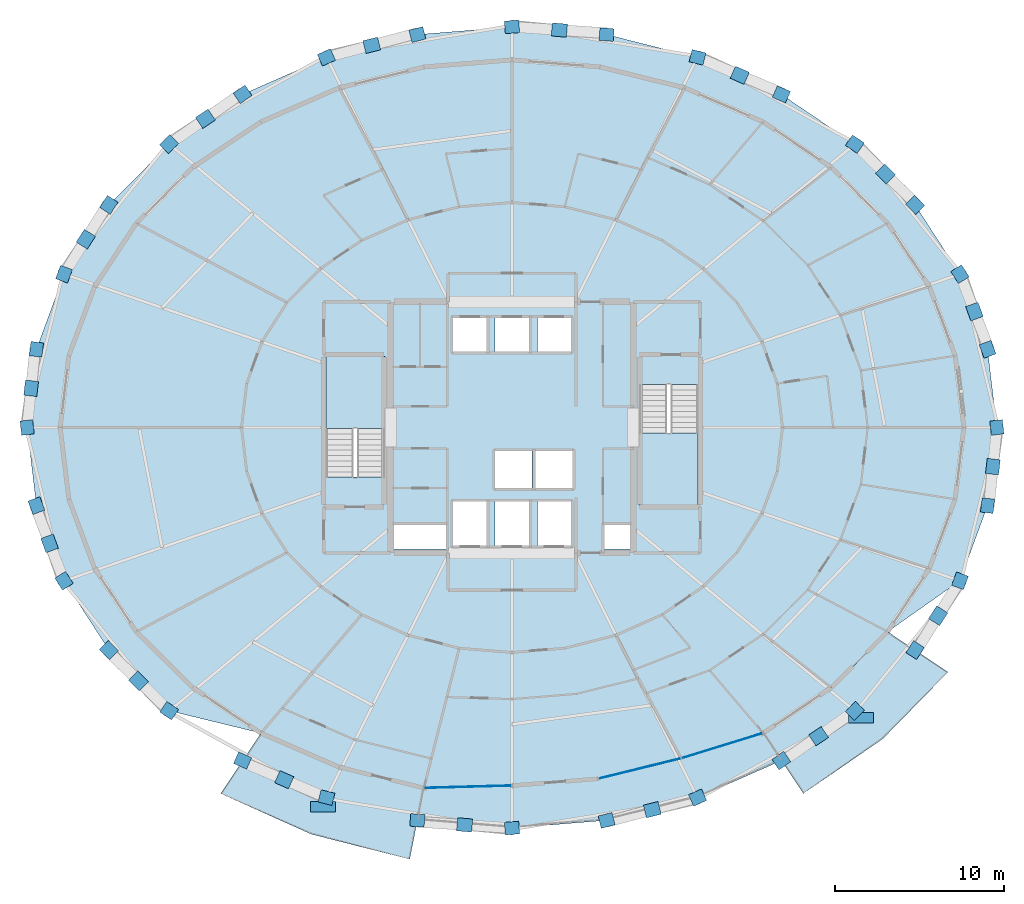
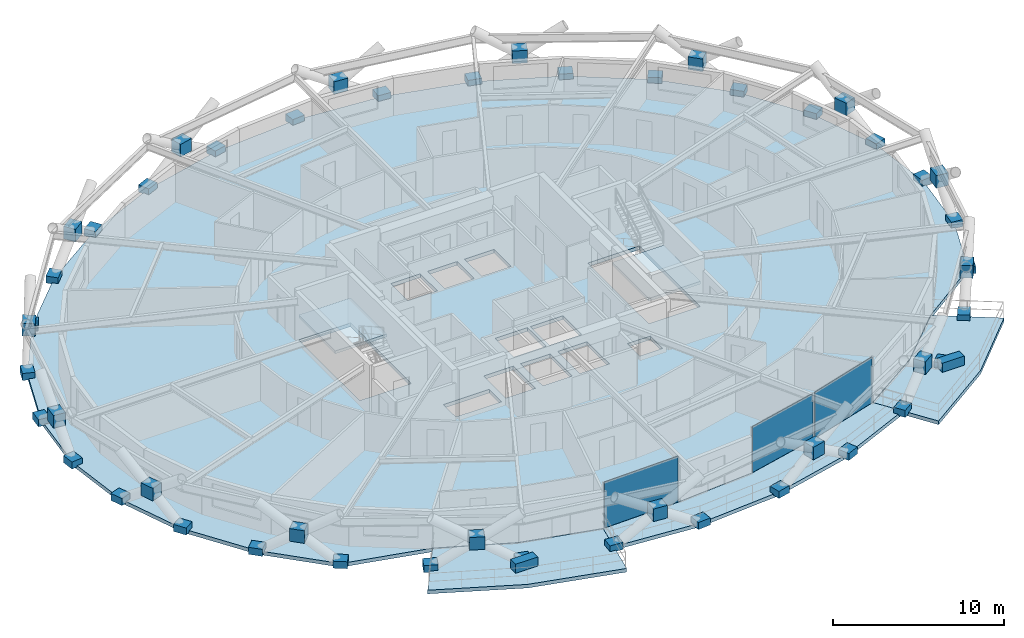
# One storey, part 6 of 14: 53 plates, 6 slabs, 4 elements without a shape of their own.
"""IFC4 building model written with IfcOpenShell, lengths in metres."""

from ifc_helpers import new_model, si_unit, direction, frame, origin, origin_2d, place, context, subcontext, project, spatial, polyline, rectangle, outline, extrude, material, layer, layer_set, type_object, element, aggregate, save


model = new_model("IFC4")

# Units and contexts
model_context = context("Model", 3, precision=1e-05, world=origin(), true_north=direction((0.0, 1.0)))
body_context = subcontext(model_context, "Body", "Model", "MODEL_VIEW")
ifc_project = project(units=[si_unit("LENGTHUNIT", "METRE"), si_unit("AREAUNIT", "SQUARE_METRE"), si_unit("VOLUMEUNIT", "CUBIC_METRE"), si_unit("PLANEANGLEUNIT", "RADIAN"), si_unit("MASSUNIT", "GRAM", prefix="KILO")], contexts=[model_context])

# Site, building, storey
site_placement = place(None, origin())
site = spatial("IfcSite", under=ifc_project, at=site_placement, CompositionType="ELEMENT")
building_placement = place(site_placement, origin())
building = spatial("IfcBuilding", under=site, at=building_placement, Name="Veldorina Hangang Commons", CompositionType="ELEMENT")
storey_placement = place(building_placement, frame((0.0, 0.0, 62.800048828125)))
storey = spatial("IfcBuildingStorey", under=building, at=storey_placement, Name="L15", CompositionType="ELEMENT", Elevation=62.800048828125)

# Curtain wall, plate
ifc_material_1 = material(Name="Glass Low-E Triple IGU", Category="glass")
ifc_layer_1 = layer(ifc_material_1, 0.179931640625)
ifc_layer_set_1 = layer_set([ifc_layer_1], Name="Glass Low-E Triple IGU")
curtain_wall_type = type_object("IfcCurtainWallType", Name="CW-SYS-Z1", PredefinedType="NOTDEFINED", material=ifc_layer_set_1)
curtain_wall_1_placement = place(storey_placement, origin())
curtain_wall_1 = element("IfcCurtainWall", 1, at=curtain_wall_1_placement, inside=storey, type_object=curtain_wall_type, Name="L15 unitised curtain wall CW-L15-R1", PredefinedType="NOTDEFINED")
ifc_layer_2 = layer(ifc_material_1, 0.0400390625)
ifc_layer_set_2 = layer_set([ifc_layer_2], Name="Glass Low-E Triple IGU")
plate_type_1 = type_object("IfcPlateType", Name="CW-PNL-VIS", PredefinedType="CURTAIN_PANEL", material=ifc_layer_set_2)
plate_1_placement = place(storey_placement, frame((29.384765625, 2.679443359375, 0.014892578125), z_axis=(0.0, 0.0, 1.0), x_axis=(0.999637397876, 0.026927175269, 0.0)))
plate_1 = element("IfcPlate", 2, at=plate_1_placement, type_object=plate_type_1, Name="CW-L15-R1 facet 1 glazed vision panel", PredefinedType="CURTAIN_PANEL", context=body_context, shape_type="SweptSolid", body=[
    extrude(rectangle(XDim=5.05224609375, YDim=0.0400390625, at=origin_2d()), origin(), (0.0, 0.0, 1.0), 3.27001953125),
])
aggregate(curtain_wall_1, [plate_1])

# Curtain wall, plates
curtain_wall_2_placement = place(storey_placement, origin())
curtain_wall_2 = element("IfcCurtainWall", 3, at=curtain_wall_2_placement, inside=storey, type_object=curtain_wall_type, Name="L15 unitised curtain wall CW-L15-R2", PredefinedType="NOTDEFINED")
plate_2_placement = place(storey_placement, frame((39.583251953125, 3.7626953125, 0.014892578125), z_axis=(0.0, 0.0, 1.0), x_axis=(0.971146768161, 0.23848260878, 0.0)))
plate_2 = element("IfcPlate", 4, at=plate_2_placement, type_object=plate_type_1, Name="CW-L15-R2 facet 1 glazed vision panel", PredefinedType="CURTAIN_PANEL", context=body_context, shape_type="SweptSolid", body=[
    extrude(rectangle(XDim=4.890625, YDim=0.0400390625, at=origin_2d()), origin(), (0.0, 0.0, 1.0), 3.27001953125),
])
plate_3_placement = place(storey_placement, frame((44.47021484375, 5.11669921875, 0.014892578125), z_axis=(0.0, 0.0, 1.0), x_axis=(0.955448519277, 0.295157800188, 0.0)))
plate_3 = element("IfcPlate", 5, at=plate_3_placement, type_object=plate_type_1, Name="CW-L15-R2 facet 2 glazed vision panel", PredefinedType="CURTAIN_PANEL", context=body_context, shape_type="SweptSolid", body=[
    extrude(rectangle(XDim=4.8955078125, YDim=0.0400390625, at=origin_2d()), origin(), (0.0, 0.0, 1.0), 3.27001953125),
])
aggregate(curtain_wall_2, [plate_2, plate_3])

# Plates
ifc_material_2 = material(Name="Steel SM460-TMC", Category="steel")
ifc_layer_3 = layer(ifc_material_2, 0.035888671875)
ifc_layer_set_3 = layer_set([ifc_layer_3], Name="Steel SM460-TMC")
plate_type_2 = type_object("IfcPlateType", Name="PL-STAR-36", PredefinedType="USERDEFINED", material=ifc_layer_set_3)
for number, where, z_axis, x_axis, name in (
    (6, (60.77001953125, 24.0, -0.090087890625), (0.0, 0.0, 1.0), (-0.118369307199, 0.99296964058, 0.0), "L15 diagrid star-node gusset plate 00"),
    (7, (60.21728515625, 28.63720703125, -0.090087890625), (0.0, 0.0, 1.0), (-0.344659307119, 0.938727842357, 0.0), "L15 diagrid star-node gusset plate 01"),
):
    element("IfcPlate", number, at=place(storey_placement, frame(where, z_axis=z_axis, x_axis=x_axis)), inside=storey, type_object=plate_type_2, Name=name, ObjectType="GUSSET PLATE", PredefinedType="USERDEFINED", context=body_context, shape_type="SweptSolid", body=[
        extrude(rectangle(XDim=0.85009765625, YDim=0.75, at=origin_2d()), origin(), (0.0, 0.0, 1.0), 0.5),
    ])
plate_4_placement = place(storey_placement, frame((59.4375, 30.878662109375, 1.346923828125), z_axis=(0.0, 0.0, 1.0), x_axis=(-0.344659307119, 0.938727842357, 0.0)))
element("IfcPlate", 8, at=plate_4_placement, inside=storey, type_object=plate_type_2, Name="L15 diagrid X-crossing star-node gusset plate 01", ObjectType="GUSSET PLATE", PredefinedType="USERDEFINED", context=body_context, shape_type="SweptSolid", body=[
    extrude(rectangle(XDim=0.89990234375, YDim=0.780029296875, at=origin_2d()), origin(), (0.0, 0.0, 1.0), 0.89990234375),
])
for number, where, z_axis, x_axis, name in (
    (9, (58.580078125, 33.096435546875, -0.090087890625), (0.0, 0.0, 1.0), (-0.543174449951, 0.839619864534, 0.0), "L15 diagrid star-node gusset plate 02"),
    (10, (55.92138671875, 37.2060546875, -0.090087890625), (0.0, 0.0, 1.0), (-0.70473327786, 0.709472344124, 0.0), "L15 diagrid star-node gusset plate 03"),
):
    element("IfcPlate", number, at=place(storey_placement, frame(where, z_axis=z_axis, x_axis=x_axis)), inside=storey, type_object=plate_type_2, Name=name, ObjectType="GUSSET PLATE", PredefinedType="USERDEFINED", context=body_context, shape_type="SweptSolid", body=[
        extrude(rectangle(XDim=0.85009765625, YDim=0.75, at=origin_2d()), origin(), (0.0, 0.0, 1.0), 0.5),
    ])
plate_5_placement = place(storey_placement, frame((54.1640625, 39.032958984375, 1.34716796875), z_axis=(0.0, 0.0, 1.0), x_axis=(-0.70473327786, 0.709472344124, 0.0)))
element("IfcPlate", 11, at=plate_5_placement, inside=storey, type_object=plate_type_2, Name="L15 diagrid X-crossing star-node gusset plate 03", ObjectType="GUSSET PLATE", PredefinedType="USERDEFINED", context=body_context, shape_type="SweptSolid", body=[
    extrude(rectangle(XDim=0.89990234375, YDim=0.780029296875, at=origin_2d()), origin(), (0.0, 0.0, 1.0), 0.89990234375),
])
for number, where, z_axis, x_axis, name in (
    (12, (52.343505859375, 40.80810546875, -0.090087890625), (0.0, 0.0, 1.0), (-0.827678527964, 0.561202507432, 0.0), "L15 diagrid star-node gusset plate 04"),
    (13, (47.98388671875, 43.76416015625, -0.090087890625), (0.0, 0.0, 1.0), (-0.914769400025, 0.403976416115, 0.0), "L15 diagrid star-node gusset plate 05"),
):
    element("IfcPlate", number, at=place(storey_placement, frame(where, z_axis=z_axis, x_axis=x_axis)), inside=storey, type_object=plate_type_2, Name=name, ObjectType="GUSSET PLATE", PredefinedType="USERDEFINED", context=body_context, shape_type="SweptSolid", body=[
        extrude(rectangle(XDim=0.85009765625, YDim=0.75, at=origin_2d()), origin(), (0.0, 0.0, 1.0), 0.5),
    ])
plate_6_placement = place(storey_placement, frame((45.51611328125, 44.898193359375, 1.347412109375), z_axis=(0.0, 0.0, 1.0), x_axis=(-0.914769400025, 0.403976416115, 0.0)))
element("IfcPlate", 14, at=plate_6_placement, inside=storey, type_object=plate_type_2, Name="L15 diagrid X-crossing star-node gusset plate 05", ObjectType="GUSSET PLATE", PredefinedType="USERDEFINED", context=body_context, shape_type="SweptSolid", body=[
    extrude(rectangle(XDim=0.89990234375, YDim=0.780029296875, at=origin_2d()), origin(), (0.0, 0.0, 1.0), 0.89990234375),
])
for number, where, z_axis, x_axis, name in (
    (15, (43.009765625, 45.960693359375, -0.090087890625), (0.0, 0.0, 1.0), (-0.969995195685, 0.243124084262, 0.0), "L15 diagrid star-node gusset plate 06"),
    (16, (37.61279296875, 47.3134765625, -0.090087890625), (0.0, 0.0, 1.0), (-0.996705681715, 0.081103538989, 0.0), "L15 diagrid star-node gusset plate 07"),
):
    element("IfcPlate", number, at=place(storey_placement, frame(where, z_axis=z_axis, x_axis=x_axis)), inside=storey, type_object=plate_type_2, Name=name, ObjectType="GUSSET PLATE", PredefinedType="USERDEFINED", context=body_context, shape_type="SweptSolid", body=[
        extrude(rectangle(XDim=0.85009765625, YDim=0.75, at=origin_2d()), origin(), (0.0, 0.0, 1.0), 0.5),
    ])
plate_7_placement = place(storey_placement, frame((34.810302734375, 47.58203125, 1.347412109375), z_axis=(0.0, 0.0, 1.0), x_axis=(-0.996705681715, 0.081103538989, 0.0)))
element("IfcPlate", 17, at=plate_7_placement, inside=storey, type_object=plate_type_2, Name="L15 diagrid X-crossing star-node gusset plate 07", ObjectType="GUSSET PLATE", PredefinedType="USERDEFINED", context=body_context, shape_type="SweptSolid", body=[
    extrude(rectangle(XDim=0.89990234375, YDim=0.780029296875, at=origin_2d()), origin(), (0.0, 0.0, 1.0), 0.89990234375),
])
for number, where, z_axis, x_axis, name in (
    (18, (32.0, 47.77001953125, -0.090087890625), (0.0, 0.0, 1.0), (-0.996705681715, -0.081103538989, 0.0), "L15 diagrid star-node gusset plate 08"),
    (19, (26.38720703125, 47.3134765625, -0.090087890625), (0.0, 0.0, 1.0), (-0.969995195685, -0.243124084262, 0.0), "L15 diagrid star-node gusset plate 09"),
):
    element("IfcPlate", number, at=place(storey_placement, frame(where, z_axis=z_axis, x_axis=x_axis)), inside=storey, type_object=plate_type_2, Name=name, ObjectType="GUSSET PLATE", PredefinedType="USERDEFINED", context=body_context, shape_type="SweptSolid", body=[
        extrude(rectangle(XDim=0.85009765625, YDim=0.75, at=origin_2d()), origin(), (0.0, 0.0, 1.0), 0.5),
    ])
plate_8_placement = place(storey_placement, frame((23.677001953125, 46.675537109375, 1.347412109375), z_axis=(0.0, 0.0, 1.0), x_axis=(-0.969995195685, -0.243124084262, 0.0)))
element("IfcPlate", 20, at=plate_8_placement, inside=storey, type_object=plate_type_2, Name="L15 diagrid X-crossing star-node gusset plate 09", ObjectType="GUSSET PLATE", PredefinedType="USERDEFINED", context=body_context, shape_type="SweptSolid", body=[
    extrude(rectangle(XDim=0.89990234375, YDim=0.780029296875, at=origin_2d()), origin(), (0.0, 0.0, 1.0), 0.89990234375),
])
for number, where, z_axis, x_axis, name in (
    (21, (20.990234375, 45.960693359375, -0.090087890625), (0.0, 0.0, 1.0), (-0.914769400025, -0.403976416115, 0.0), "L15 diagrid star-node gusset plate 10"),
    (22, (16.01611328125, 43.76416015625, -0.090087890625), (0.0, 0.0, 1.0), (-0.827678527964, -0.561202507432, 0.0), "L15 diagrid star-node gusset plate 11"),
):
    element("IfcPlate", number, at=place(storey_placement, frame(where, z_axis=z_axis, x_axis=x_axis)), inside=storey, type_object=plate_type_2, Name=name, ObjectType="GUSSET PLATE", PredefinedType="USERDEFINED", context=body_context, shape_type="SweptSolid", body=[
        extrude(rectangle(XDim=0.85009765625, YDim=0.75, at=origin_2d()), origin(), (0.0, 0.0, 1.0), 0.5),
    ])
plate_9_placement = place(storey_placement, frame((13.810791015625, 42.31689453125, 1.347412109375), z_axis=(0.0, 0.0, 1.0), x_axis=(-0.827678527964, -0.561202507432, 0.0)))
element("IfcPlate", 23, at=plate_9_placement, inside=storey, type_object=plate_type_2, Name="L15 diagrid X-crossing star-node gusset plate 11", ObjectType="GUSSET PLATE", PredefinedType="USERDEFINED", context=body_context, shape_type="SweptSolid", body=[
    extrude(rectangle(XDim=0.89990234375, YDim=0.780029296875, at=origin_2d()), origin(), (0.0, 0.0, 1.0), 0.89990234375),
])
for number, where, z_axis, x_axis, name in (
    (24, (11.656494140625, 40.80810546875, -0.090087890625), (0.0, 0.0, 1.0), (-0.70473327786, -0.709472344124, 0.0), "L15 diagrid star-node gusset plate 12"),
    (25, (8.07861328125, 37.2060546875, -0.090087890625), (0.0, 0.0, 1.0), (-0.543174449951, -0.839619864534, 0.0), "L15 diagrid star-node gusset plate 13"),
):
    element("IfcPlate", number, at=place(storey_placement, frame(where, z_axis=z_axis, x_axis=x_axis)), inside=storey, type_object=plate_type_2, Name=name, ObjectType="GUSSET PLATE", PredefinedType="USERDEFINED", context=body_context, shape_type="SweptSolid", body=[
        extrude(rectangle(XDim=0.85009765625, YDim=0.75, at=origin_2d()), origin(), (0.0, 0.0, 1.0), 0.5),
    ])
plate_10_placement = place(storey_placement, frame((6.7138671875, 35.170166015625, 1.34716796875), z_axis=(0.0, 0.0, 1.0), x_axis=(-0.543174449951, -0.839619864534, 0.0)))
element("IfcPlate", 26, at=plate_10_placement, inside=storey, type_object=plate_type_2, Name="L15 diagrid X-crossing star-node gusset plate 13", ObjectType="GUSSET PLATE", PredefinedType="USERDEFINED", context=body_context, shape_type="SweptSolid", body=[
    extrude(rectangle(XDim=0.89990234375, YDim=0.780029296875, at=origin_2d()), origin(), (0.0, 0.0, 1.0), 0.89990234375),
])
for number, where, z_axis, x_axis, name in (
    (27, (5.419921875, 33.096435546875, -0.090087890625), (0.0, 0.0, 1.0), (-0.344659307119, -0.938727842357, 0.0), "L15 diagrid star-node gusset plate 14"),
    (28, (3.78271484375, 28.63720703125, -0.090087890625), (0.0, 0.0, 1.0), (-0.118369307199, -0.99296964058, 0.0), "L15 diagrid star-node gusset plate 15"),
):
    element("IfcPlate", number, at=place(storey_placement, frame(where, z_axis=z_axis, x_axis=x_axis)), inside=storey, type_object=plate_type_2, Name=name, ObjectType="GUSSET PLATE", PredefinedType="USERDEFINED", context=body_context, shape_type="SweptSolid", body=[
        extrude(rectangle(XDim=0.85009765625, YDim=0.75, at=origin_2d()), origin(), (0.0, 0.0, 1.0), 0.5),
    ])
plate_11_placement = place(storey_placement, frame((3.466064453125, 26.322509765625, 1.346923828125), z_axis=(0.0, 0.0, 1.0), x_axis=(-0.118369307199, -0.99296964058, 0.0)))
element("IfcPlate", 29, at=plate_11_placement, inside=storey, type_object=plate_type_2, Name="L15 diagrid X-crossing star-node gusset plate 15", ObjectType="GUSSET PLATE", PredefinedType="USERDEFINED", context=body_context, shape_type="SweptSolid", body=[
    extrude(rectangle(XDim=0.89990234375, YDim=0.780029296875, at=origin_2d()), origin(), (0.0, 0.0, 1.0), 0.89990234375),
])
for number, where, z_axis, x_axis, name in (
    (30, (3.22998046875, 24.0, -0.090087890625), (0.0, 0.0, 1.0), (0.118369307199, -0.99296964058, 0.0), "L15 diagrid star-node gusset plate 16"),
    (31, (3.78271484375, 19.36279296875, -0.090087890625), (0.0, 0.0, 1.0), (0.344659307119, -0.938727842357, 0.0), "L15 diagrid star-node gusset plate 17"),
):
    element("IfcPlate", number, at=place(storey_placement, frame(where, z_axis=z_axis, x_axis=x_axis)), inside=storey, type_object=plate_type_2, Name=name, ObjectType="GUSSET PLATE", PredefinedType="USERDEFINED", context=body_context, shape_type="SweptSolid", body=[
        extrude(rectangle(XDim=0.85009765625, YDim=0.75, at=origin_2d()), origin(), (0.0, 0.0, 1.0), 0.5),
    ])
plate_12_placement = place(storey_placement, frame((4.5625, 17.121337890625, 1.346923828125), z_axis=(0.0, 0.0, 1.0), x_axis=(0.344659307119, -0.938727842357, 0.0)))
element("IfcPlate", 32, at=plate_12_placement, inside=storey, type_object=plate_type_2, Name="L15 diagrid X-crossing star-node gusset plate 17", ObjectType="GUSSET PLATE", PredefinedType="USERDEFINED", context=body_context, shape_type="SweptSolid", body=[
    extrude(rectangle(XDim=0.89990234375, YDim=0.780029296875, at=origin_2d()), origin(), (0.0, 0.0, 1.0), 0.89990234375),
])
for number, where, z_axis, x_axis, name in (
    (33, (5.419921875, 14.903564453125, -0.090087890625), (0.0, 0.0, 1.0), (0.543174449951, -0.839619864534, 0.0), "L15 diagrid star-node gusset plate 18"),
    (34, (8.07861328125, 10.7939453125, -0.090087890625), (0.0, 0.0, 1.0), (0.70473327786, -0.709472344124, 0.0), "L15 diagrid star-node gusset plate 19"),
):
    element("IfcPlate", number, at=place(storey_placement, frame(where, z_axis=z_axis, x_axis=x_axis)), inside=storey, type_object=plate_type_2, Name=name, ObjectType="GUSSET PLATE", PredefinedType="USERDEFINED", context=body_context, shape_type="SweptSolid", body=[
        extrude(rectangle(XDim=0.85009765625, YDim=0.75, at=origin_2d()), origin(), (0.0, 0.0, 1.0), 0.5),
    ])
plate_13_placement = place(storey_placement, frame((9.8359375, 8.967041015625, 1.34716796875), z_axis=(0.0, 0.0, 1.0), x_axis=(0.70473327786, -0.709472344124, 0.0)))
element("IfcPlate", 35, at=plate_13_placement, inside=storey, type_object=plate_type_2, Name="L15 diagrid X-crossing star-node gusset plate 19", ObjectType="GUSSET PLATE", PredefinedType="USERDEFINED", context=body_context, shape_type="SweptSolid", body=[
    extrude(rectangle(XDim=0.89990234375, YDim=0.780029296875, at=origin_2d()), origin(), (0.0, 0.0, 1.0), 0.89990234375),
])
for number, where, z_axis, x_axis, name in (
    (36, (11.656494140625, 7.19189453125, -0.090087890625), (0.0, 0.0, 1.0), (0.827678527964, -0.561202507432, 0.0), "L15 diagrid star-node gusset plate 20"),
    (37, (16.01611328125, 4.23583984375, -0.090087890625), (0.0, 0.0, 1.0), (0.914769400025, -0.403976416115, 0.0), "L15 diagrid star-node gusset plate 21"),
):
    element("IfcPlate", number, at=place(storey_placement, frame(where, z_axis=z_axis, x_axis=x_axis)), inside=storey, type_object=plate_type_2, Name=name, ObjectType="GUSSET PLATE", PredefinedType="USERDEFINED", context=body_context, shape_type="SweptSolid", body=[
        extrude(rectangle(XDim=0.85009765625, YDim=0.75, at=origin_2d()), origin(), (0.0, 0.0, 1.0), 0.5),
    ])
plate_14_placement = place(storey_placement, frame((18.48388671875, 3.101806640625, 1.347412109375), z_axis=(0.0, 0.0, 1.0), x_axis=(0.914769400025, -0.403976416115, 0.0)))
element("IfcPlate", 38, at=plate_14_placement, inside=storey, type_object=plate_type_2, Name="L15 diagrid X-crossing star-node gusset plate 21", ObjectType="GUSSET PLATE", PredefinedType="USERDEFINED", context=body_context, shape_type="SweptSolid", body=[
    extrude(rectangle(XDim=0.89990234375, YDim=0.780029296875, at=origin_2d()), origin(), (0.0, 0.0, 1.0), 0.89990234375),
])
for number, where, z_axis, x_axis, name in (
    (39, (20.990234375, 2.039306640625, -0.090087890625), (0.0, 0.0, 1.0), (0.969995195685, -0.243124084262, 0.0), "L15 diagrid star-node gusset plate 22"),
    (40, (26.38720703125, 0.6865234375, -0.090087890625), (0.0, 0.0, 1.0), (0.996705681715, -0.081103538989, 0.0), "L15 diagrid star-node gusset plate 23"),
):
    element("IfcPlate", number, at=place(storey_placement, frame(where, z_axis=z_axis, x_axis=x_axis)), inside=storey, type_object=plate_type_2, Name=name, ObjectType="GUSSET PLATE", PredefinedType="USERDEFINED", context=body_context, shape_type="SweptSolid", body=[
        extrude(rectangle(XDim=0.85009765625, YDim=0.75, at=origin_2d()), origin(), (0.0, 0.0, 1.0), 0.5),
    ])
plate_15_placement = place(storey_placement, frame((29.189697265625, 0.41796875, 1.347412109375), z_axis=(0.0, 0.0, 1.0), x_axis=(0.996705681715, -0.081103538989, 0.0)))
element("IfcPlate", 41, at=plate_15_placement, inside=storey, type_object=plate_type_2, Name="L15 diagrid X-crossing star-node gusset plate 23", ObjectType="GUSSET PLATE", PredefinedType="USERDEFINED", context=body_context, shape_type="SweptSolid", body=[
    extrude(rectangle(XDim=0.89990234375, YDim=0.780029296875, at=origin_2d()), origin(), (0.0, 0.0, 1.0), 0.89990234375),
])
for number, where, z_axis, x_axis, name in (
    (42, (32.0, 0.22998046875, -0.090087890625), (0.0, 0.0, 1.0), (0.996705681715, 0.081103538989, 0.0), "L15 diagrid star-node gusset plate 24"),
    (43, (37.61279296875, 0.6865234375, -0.090087890625), (0.0, 0.0, 1.0), (0.969995195685, 0.243124084262, 0.0), "L15 diagrid star-node gusset plate 25"),
):
    element("IfcPlate", number, at=place(storey_placement, frame(where, z_axis=z_axis, x_axis=x_axis)), inside=storey, type_object=plate_type_2, Name=name, ObjectType="GUSSET PLATE", PredefinedType="USERDEFINED", context=body_context, shape_type="SweptSolid", body=[
        extrude(rectangle(XDim=0.85009765625, YDim=0.75, at=origin_2d()), origin(), (0.0, 0.0, 1.0), 0.5),
    ])
plate_16_placement = place(storey_placement, frame((40.322998046875, 1.324462890625, 1.347412109375), z_axis=(0.0, 0.0, 1.0), x_axis=(0.969995195685, 0.243124084262, 0.0)))
element("IfcPlate", 44, at=plate_16_placement, inside=storey, type_object=plate_type_2, Name="L15 diagrid X-crossing star-node gusset plate 25", ObjectType="GUSSET PLATE", PredefinedType="USERDEFINED", context=body_context, shape_type="SweptSolid", body=[
    extrude(rectangle(XDim=0.89990234375, YDim=0.780029296875, at=origin_2d()), origin(), (0.0, 0.0, 1.0), 0.89990234375),
])
for number, where, z_axis, x_axis, name in (
    (45, (43.009765625, 2.039306640625, -0.090087890625), (0.0, 0.0, 1.0), (0.914769400025, 0.403976416115, 0.0), "L15 diagrid star-node gusset plate 26"),
    (46, (47.98388671875, 4.23583984375, -0.090087890625), (0.0, 0.0, 1.0), (0.827678527964, 0.561202507432, 0.0), "L15 diagrid star-node gusset plate 27"),
):
    element("IfcPlate", number, at=place(storey_placement, frame(where, z_axis=z_axis, x_axis=x_axis)), inside=storey, type_object=plate_type_2, Name=name, ObjectType="GUSSET PLATE", PredefinedType="USERDEFINED", context=body_context, shape_type="SweptSolid", body=[
        extrude(rectangle(XDim=0.85009765625, YDim=0.75, at=origin_2d()), origin(), (0.0, 0.0, 1.0), 0.5),
    ])
plate_17_placement = place(storey_placement, frame((50.189208984375, 5.68310546875, 1.347412109375), z_axis=(0.0, 0.0, 1.0), x_axis=(0.827678527964, 0.561202507432, 0.0)))
element("IfcPlate", 47, at=plate_17_placement, inside=storey, type_object=plate_type_2, Name="L15 diagrid X-crossing star-node gusset plate 27", ObjectType="GUSSET PLATE", PredefinedType="USERDEFINED", context=body_context, shape_type="SweptSolid", body=[
    extrude(rectangle(XDim=0.89990234375, YDim=0.780029296875, at=origin_2d()), origin(), (0.0, 0.0, 1.0), 0.89990234375),
])
for number, where, z_axis, x_axis, name in (
    (48, (52.343505859375, 7.19189453125, -0.090087890625), (0.0, 0.0, 1.0), (0.70473327786, 0.709472344124, 0.0), "L15 diagrid star-node gusset plate 28"),
    (49, (55.92138671875, 10.7939453125, -0.090087890625), (0.0, 0.0, 1.0), (0.543174449951, 0.839619864534, 0.0), "L15 diagrid star-node gusset plate 29"),
):
    element("IfcPlate", number, at=place(storey_placement, frame(where, z_axis=z_axis, x_axis=x_axis)), inside=storey, type_object=plate_type_2, Name=name, ObjectType="GUSSET PLATE", PredefinedType="USERDEFINED", context=body_context, shape_type="SweptSolid", body=[
        extrude(rectangle(XDim=0.85009765625, YDim=0.75, at=origin_2d()), origin(), (0.0, 0.0, 1.0), 0.5),
    ])
plate_18_placement = place(storey_placement, frame((57.2861328125, 12.829833984375, 1.34716796875), z_axis=(0.0, 0.0, 1.0), x_axis=(0.543174449951, 0.839619864534, 0.0)))
element("IfcPlate", 50, at=plate_18_placement, inside=storey, type_object=plate_type_2, Name="L15 diagrid X-crossing star-node gusset plate 29", ObjectType="GUSSET PLATE", PredefinedType="USERDEFINED", context=body_context, shape_type="SweptSolid", body=[
    extrude(rectangle(XDim=0.89990234375, YDim=0.780029296875, at=origin_2d()), origin(), (0.0, 0.0, 1.0), 0.89990234375),
])
for number, where, z_axis, x_axis, name in (
    (51, (58.580078125, 14.903564453125, -0.090087890625), (0.0, 0.0, 1.0), (0.344659307119, 0.938727842357, 0.0), "L15 diagrid star-node gusset plate 30"),
    (52, (60.21728515625, 19.36279296875, -0.090087890625), (0.0, 0.0, 1.0), (0.118369307199, 0.99296964058, 0.0), "L15 diagrid star-node gusset plate 31"),
):
    element("IfcPlate", number, at=place(storey_placement, frame(where, z_axis=z_axis, x_axis=x_axis)), inside=storey, type_object=plate_type_2, Name=name, ObjectType="GUSSET PLATE", PredefinedType="USERDEFINED", context=body_context, shape_type="SweptSolid", body=[
        extrude(rectangle(XDim=0.85009765625, YDim=0.75, at=origin_2d()), origin(), (0.0, 0.0, 1.0), 0.5),
    ])
plate_19_placement = place(storey_placement, frame((60.533935546875, 21.677490234375, 1.346923828125), z_axis=(0.0, 0.0, 1.0), x_axis=(0.118369307199, 0.99296964058, 0.0)))
element("IfcPlate", 53, at=plate_19_placement, inside=storey, type_object=plate_type_2, Name="L15 diagrid X-crossing star-node gusset plate 31", ObjectType="GUSSET PLATE", PredefinedType="USERDEFINED", context=body_context, shape_type="SweptSolid", body=[
    extrude(rectangle(XDim=0.89990234375, YDim=0.780029296875, at=origin_2d()), origin(), (0.0, 0.0, 1.0), 0.89990234375),
])
ifc_material_3 = material(Name="Stone Roman Travertine", Category="masonry")
ifc_layer_4 = layer(ifc_material_3, 0.64990234375)
ifc_layer_set_4 = layer_set([ifc_layer_4], Name="Stone Roman Travertine")
plate_type_3 = type_object("IfcPlateType", Name="PLN-TBAL-1800", PredefinedType="USERDEFINED", material=ifc_layer_set_4)
for number, where, z_axis, x_axis, name in (
    (54, (20.790771484375, 1.498291015625, 0.0), (0.0, 0.0, 1.0), (1.0, 0.0, 0.0), "L15 TREE BALCONY PLANTER 1"),
    (55, (52.712158203125, 6.778076171875, 0.0), (0.0, 0.0, 1.0), (1.0, 0.0, 0.0), "L15 TREE BALCONY PLANTER 2"),
):
    element("IfcPlate", number, at=place(storey_placement, frame(where, z_axis=z_axis, x_axis=x_axis)), inside=storey, type_object=plate_type_3, Name=name, ObjectType="PLANTER", PredefinedType="USERDEFINED", context=body_context, shape_type="SweptSolid", body=[
        extrude(rectangle(XDim=1.5, YDim=0.60009765625, at=origin_2d()), origin(), (0.0, 0.0, 1.0), 0.64990234375),
    ])

# Slabs
ifc_material_4 = material(Name="Concrete C40/50", Category="concrete")
ifc_layer_5 = layer(ifc_material_4, 0.260009765625)
ifc_layer_set_5 = layer_set([ifc_layer_5], Name="Concrete C40/50")
slab_type_1 = type_object("IfcSlabType", Name="SL-FLR-260", PredefinedType="FLOOR", material=ifc_layer_set_5)
slab_1_placement = place(storey_placement, frame((0.0, 0.0, -0.260009765625)))
element("IfcSlab", 56, at=slab_1_placement, inside=storey, type_object=slab_type_1, Name="L15 tower structural floor slab", PredefinedType="FLOOR", context=body_context, shape_type="SweptSolid", body=[
    extrude(outline(polyline([(60.77001953125, 24.0), (60.21728515625, 28.63720703125), (58.580078125, 33.096435546875), (55.92138671875, 37.2060546875), (52.343505859375, 40.80810546875), (47.98388671875, 43.76416015625), (43.009765625, 45.960693359375), (37.61279296875, 47.3134765625), (32.0, 47.77001953125), (26.38720703125, 47.3134765625), (20.990234375, 45.960693359375), (16.01611328125, 43.76416015625), (11.656494140625, 40.80810546875), (8.07861328125, 37.2060546875), (5.419921875, 33.096435546875), (3.78271484375, 28.63720703125), (3.22998046875, 24.0), (3.78271484375, 19.36279296875), (5.419921875, 14.903564453125), (8.07861328125, 10.7939453125), (11.656494140625, 7.19189453125), (17.10498046875, 5.865478515625), (21.740234375, 3.85009765625), (26.76953125, 2.60888671875), (32.0, 2.75), (37.12109375, 3.158203125), (42.04541015625, 4.367431640625), (46.89501953125, 5.865478515625), (50.95751953125, 8.577880859375), (54.291748046875, 11.883056640625), (58.580078125, 14.903564453125), (60.21728515625, 19.36279296875), (60.77001953125, 24.0)]), holes=[polyline([(20.949951171875, 21.05810546875), (20.949951171875, 28.199951171875), (24.449951171875, 28.199951171875), (24.449951171875, 21.05810546875), (20.949951171875, 21.05810546875)]), polyline([(43.050048828125, 26.5419921875), (43.050048828125, 19.39990234375), (39.550048828125, 19.39990234375), (39.550048828125, 26.5419921875), (43.050048828125, 26.5419921875)]), polyline([(28.5, 30.5), (30.5, 30.5), (30.5, 28.5), (28.5, 28.5), (28.5, 30.5)]), polyline([(31.0, 30.5), (33.0, 30.5), (33.0, 28.5), (31.0, 28.5), (31.0, 30.5)]), polyline([(33.5, 30.5), (35.5, 30.5), (35.5, 28.5), (33.5, 28.5), (33.5, 30.5)]), polyline([(31.0, 22.60009765625), (33.199951171875, 22.60009765625), (33.199951171875, 20.39990234375), (31.0, 20.39990234375), (31.0, 22.60009765625)]), polyline([(33.39990234375, 22.60009765625), (35.60009765625, 22.60009765625), (35.60009765625, 20.39990234375), (33.39990234375, 20.39990234375), (33.39990234375, 22.60009765625)]), polyline([(28.5, 19.60009765625), (30.5, 19.60009765625), (30.5, 17.0), (28.5, 17.0), (28.5, 19.60009765625)]), polyline([(31.0, 19.60009765625), (33.0, 19.60009765625), (33.0, 17.0), (31.0, 17.0), (31.0, 19.60009765625)]), polyline([(33.5, 19.60009765625), (35.5, 19.60009765625), (35.5, 17.0), (33.5, 17.0), (33.5, 19.60009765625)]), polyline([(25.0, 18.25), (28.10009765625, 18.25), (28.10009765625, 16.800048828125), (25.0, 16.800048828125), (25.0, 18.25)]), polyline([(37.449951171875, 18.25), (39.0, 18.25), (39.0, 16.800048828125), (37.449951171875, 16.800048828125), (37.449951171875, 18.25)])]), origin(), (0.0, 0.0, 1.0), 0.260009765625),
])
slab_2_placement = place(storey_placement, frame((0.0, 0.0, -0.260009765625)))
element("IfcSlab", 57, at=slab_2_placement, inside=storey, type_object=slab_type_1, Name="L15 sky-garden loggia outdoor slab", PredefinedType="FLOOR", context=body_context, shape_type="SweptSolid", body=[
    extrude(outline(polyline([(47.98388671875, 4.23583984375), (43.009765625, 2.039306640625), (37.61279296875, 0.6865234375), (32.0, 0.22998046875), (26.38720703125, 0.6865234375), (26.7666015625, 2.59423828125), (26.767333984375, 2.59423828125), (26.768798828125, 2.593994140625), (26.77001953125, 2.593994140625), (32.00048828125, 2.73486328125), (32.001220703125, 2.73486328125), (37.122314453125, 3.143310546875), (37.12353515625, 3.143310546875), (37.124755859375, 3.1435546875), (42.049072265625, 4.352783203125), (42.0498046875, 4.353271484375), (46.8994140625, 5.851318359375), (46.900634765625, 5.851806640625), (46.902099609375, 5.852294921875), (46.9033203125, 5.85302734375), (46.9033203125, 5.85302734375), (47.98388671875, 4.23583984375)])), origin(), (0.0, 0.0, 1.0), 0.260009765625),
])
slab_3_placement = place(storey_placement, frame((0.0, 0.0, -0.260009765625)))
element("IfcSlab", 58, at=slab_3_placement, inside=storey, type_object=slab_type_1, Name="L15 planted tree balcony slab 1", PredefinedType="FLOOR", context=body_context, shape_type="SweptSolid", body=[
    extrude(outline(polyline([(21.732666015625, 3.83154296875), (26.765625, 2.58935546875), (25.9287109375, -1.6181640625), (20.0908203125, -0.1318359375), (14.710693359375, 2.281982421875), (17.093994140625, 5.848876953125), (21.732666015625, 3.83154296875)])), origin(), (0.0, 0.0, 1.0), 0.260009765625),
])
slab_4_placement = place(storey_placement, frame((0.0, 0.0, -0.260009765625)))
element("IfcSlab", 59, at=slab_4_placement, inside=storey, type_object=slab_type_1, Name="L15 planted tree balcony slab 2", PredefinedType="FLOOR", context=body_context, shape_type="SweptSolid", body=[
    extrude(outline(polyline([(50.9716796875, 8.563720703125), (54.308349609375, 11.871826171875), (57.87548828125, 9.48828125), (54.005126953125, 5.5302734375), (49.289306640625, 2.281982421875), (46.906005859375, 5.848876953125), (50.9716796875, 8.563720703125)])), origin(), (0.0, 0.0, 1.0), 0.260009765625),
])

# Stair, slab
stair_type = type_object("IfcStairType", Name="STR-DOG-1650-20R", PredefinedType="HALF_TURN_STAIR", material=ifc_material_4)
stair_1_placement = place(storey_placement, origin())
stair_1 = element("IfcStair", 60, at=stair_1_placement, inside=storey, type_object=stair_type, Name="L15 Exit stair ST-1", PredefinedType="HALF_TURN_STAIR")
ifc_layer_6 = layer(ifc_material_4, 0.199951171875)
ifc_layer_set_6 = layer_set([ifc_layer_6], Name="Concrete C40/50")
slab_type_2 = type_object("IfcSlabType", Name="SL-LND-200", PredefinedType="LANDING", material=ifc_layer_set_6)
slab_5_placement = place(storey_placement, frame((0.0, 0.0, 1.599853515625)))
slab_5 = element("IfcSlab", 61, at=slab_5_placement, type_object=slab_type_2, Name="ST-1 landing 1", PredefinedType="LANDING", context=body_context, shape_type="SweptSolid", body=[
    extrude(outline(polyline([(24.449951171875, 23.929931640625), (24.449951171875, 28.199951171875), (20.949951171875, 28.199951171875), (20.949951171875, 23.929931640625), (24.449951171875, 23.929931640625)])), origin(), (0.0, 0.0, 1.0), 0.2001953125),
])
aggregate(stair_1, [slab_5])

stair_2_placement = place(storey_placement, origin())
stair_2 = element("IfcStair", 62, at=stair_2_placement, inside=storey, type_object=stair_type, Name="L15 Exit stair ST-2", PredefinedType="HALF_TURN_STAIR")
slab_6_placement = place(storey_placement, frame((0.0, 0.0, 1.599853515625)))
slab_6 = element("IfcSlab", 63, at=slab_6_placement, type_object=slab_type_2, Name="ST-2 landing 1", PredefinedType="LANDING", context=body_context, shape_type="SweptSolid", body=[
    extrude(outline(polyline([(39.550048828125, 23.669921875), (39.550048828125, 19.39990234375), (43.050048828125, 19.39990234375), (43.050048828125, 23.669921875), (39.550048828125, 23.669921875)])), origin(), (0.0, 0.0, 1.0), 0.2001953125),
])
aggregate(stair_2, [slab_6])

save(model, "model.ifc")
